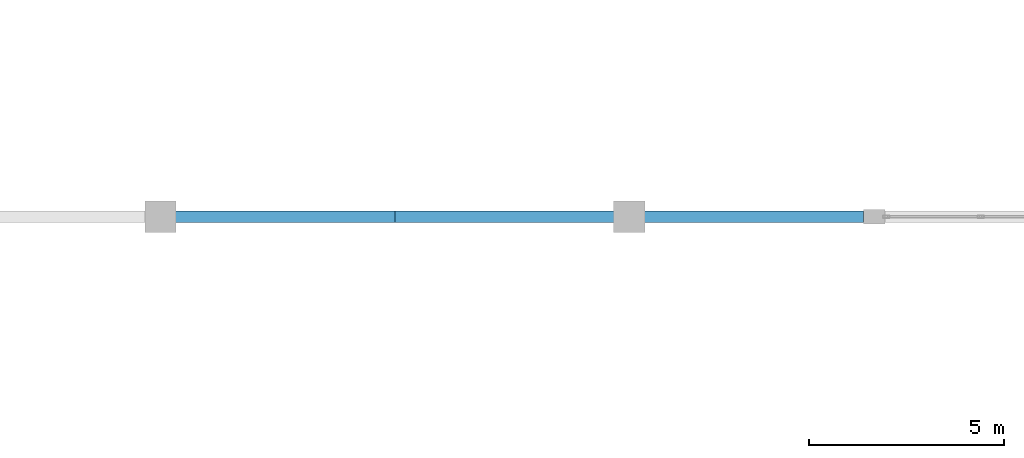
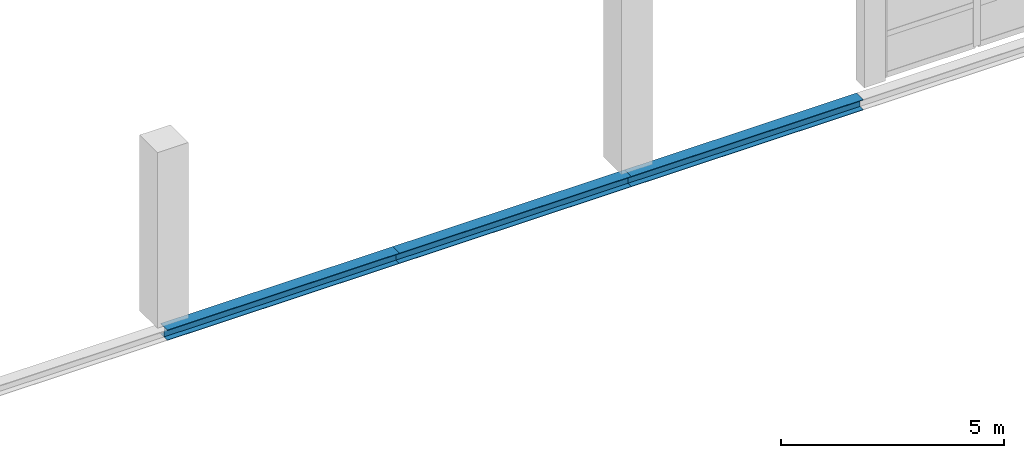
# One storey, part 20 of 86: 3 beams.
"""IFC4 building model written with IfcOpenShell, lengths in metres."""

from ifc_helpers import new_model, si_unit, direction, frame, origin, origin_2d, place, context, subcontext, project, spatial, i_section, extrude, material, material_profile, profile_set, type_object, element, save


model = new_model("IFC4")

# Units and contexts
model_context = context("Model", 3, precision=1e-05, world=origin(), true_north=direction((0.0, 1.0)))
body_context = subcontext(model_context, "Body", "Model", "MODEL_VIEW")
ifc_project = project(units=[si_unit("LENGTHUNIT", "METRE"), si_unit("AREAUNIT", "SQUARE_METRE"), si_unit("VOLUMEUNIT", "CUBIC_METRE"), si_unit("PLANEANGLEUNIT", "RADIAN"), si_unit("MASSUNIT", "GRAM", prefix="KILO")], contexts=[model_context])

# Site, building, storey
site_placement = place(None, origin())
site = spatial("IfcSite", under=ifc_project, at=site_placement, CompositionType="ELEMENT")
building_placement = place(site_placement, origin())
building = spatial("IfcBuilding", under=site, at=building_placement, Name="Zilviju Railside Exhibition Hall", CompositionType="ELEMENT")
storey_placement = place(building_placement, frame((0.0, 0.0, 12.60009765625)))
storey = spatial("IfcBuildingStorey", under=building, at=storey_placement, Name="L04", CompositionType="ELEMENT", Elevation=12.60009765625)

# Beams
ifc_material = material(Name="Steel S355J2", Category="steel")
ifc_material_profile = material_profile(ifc_material, i_section(OverallWidth=0.300048828125, OverallDepth=0.2900390625, WebThickness=0.008544921875, FlangeThickness=0.013916015625, at=origin_2d()), Name="HEA 300")
ifc_profile_set = profile_set([ifc_material_profile], Name="Steel S355J2")
beam_type = type_object("IfcBeamType", Name="BM-HEA300", PredefinedType="SPANDREL", material=ifc_profile_set)
for number, where, z_axis, x_axis, name in (
    (1, (84.0, 84.0, -0.485107421875), (1.0, 0.0, 0.0), (0.0, 1.0, 0.0), "Primary Girder L04 Y=84.0 (84.0..90.0)"),
    (2, (90.0, 84.0, -0.485107421875), (1.0, 0.0, 0.0), (0.0, 1.0, 0.0), "Primary Girder L04 Y=84.0 (90.0..96.0)"),
    (3, (96.0, 84.0, -0.485107421875), (1.0, 0.0, 0.0), (0.0, 1.0, 0.0), "Primary Girder L04 Y=84.0 (96.0..102.0)"),
):
    element("IfcBeam", number, at=place(storey_placement, frame(where, z_axis=z_axis, x_axis=x_axis)), inside=storey, type_object=beam_type, Name=name, PredefinedType="SPANDREL", context=body_context, shape_type="SweptSolid", body=[
        extrude(i_section(OverallWidth=0.300048828125, OverallDepth=0.2900390625, WebThickness=0.008544921875, FlangeThickness=0.013916015625, at=origin_2d()), origin(), (0.0, 0.0, 1.0), 6.0),
    ])

save(model, "model.ifc")
